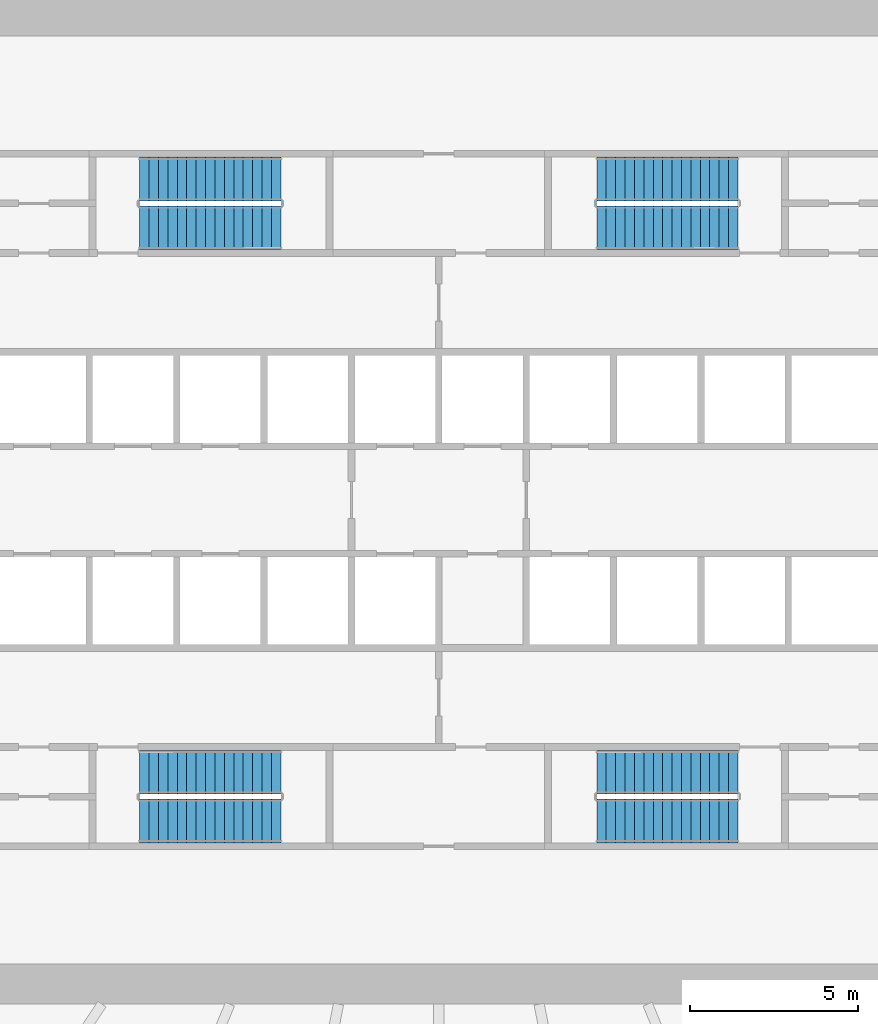
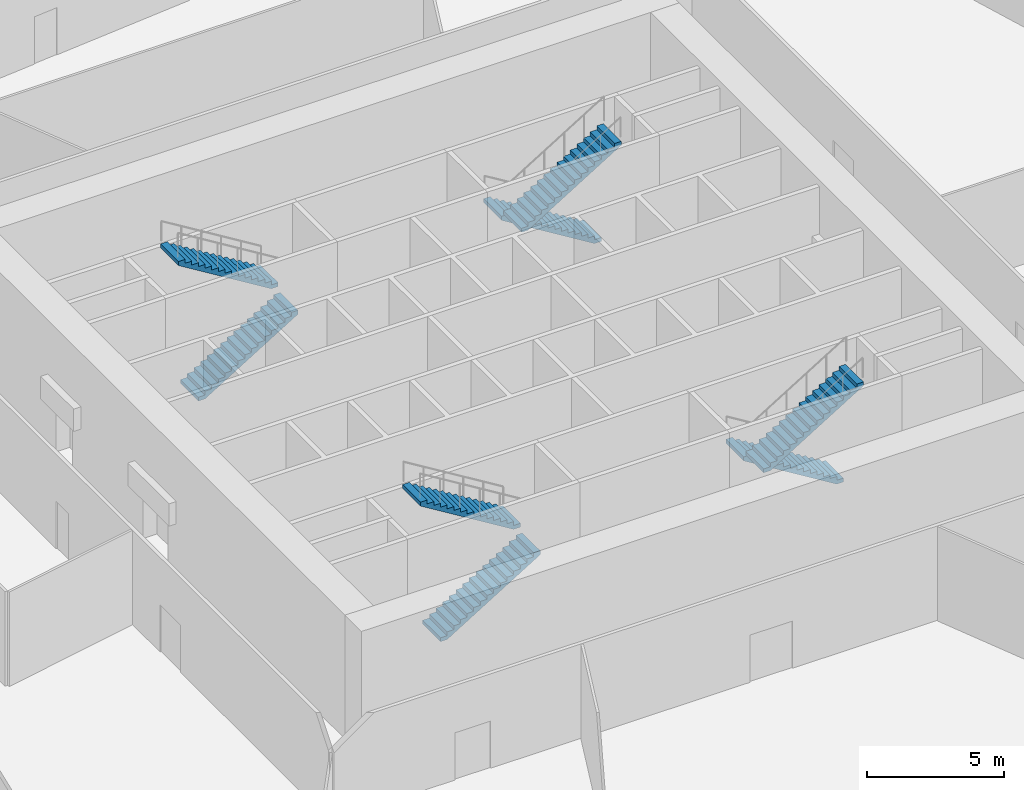
# One storey, part 29 of 37: 8 stair flights, 4 elements without a shape of their own.
"""IFC4 building model written with IfcOpenShell, lengths in metres."""

import ifcopenshell
import ifcopenshell.guid

model = None  # the IFC model being written
_history = None  # IfcOwnerHistory: only IFC2X3 demands one
_inside = {}  # id of a spatial element -> (the spatial element, [elements in it])
_under = {}  # id of a project, library or spatial element -> (it, [spatial elements below it])
_declared = {}  # id of a project -> (the project, [libraries it declares])
_typed = {}  # id of a type object -> (the type object, [elements of that type])
_made_of = {}  # id of a material, layer set ... -> (it, [elements and type objects made of it])


def new_model(schema):
    """Start an empty IFC model of exactly this schema.

    Asked for "IFC4X3", IfcOpenShell would pick the latest addendum, in which some entities
    have other attributes; the version numbers below select the first issue.
    IFC2X3 requires an IfcOwnerHistory on every rooted entity: one is made here for all.
    """
    global model, _history
    if schema == "IFC4X3":
        model = ifcopenshell.file(schema_version=(4, 3, 0, 0))
    else:
        model = ifcopenshell.file(schema=schema)
    _inside.clear()
    _under.clear()
    _declared.clear()
    _typed.clear()
    _made_of.clear()
    _history = None
    if model.schema == "IFC2X3":
        org = make("IfcOrganization", Name="unknown")
        user = make(
            "IfcPersonAndOrganization",
            ThePerson=make("IfcPerson", FamilyName="unknown"),
            TheOrganization=org,
        )
        app = make(
            "IfcApplication",
            ApplicationDeveloper=org,
            Version="unknown",
            ApplicationFullName="unknown",
            ApplicationIdentifier="unknown",
        )
        _history = make(
            "IfcOwnerHistory",
            OwningUser=user,
            OwningApplication=app,
            ChangeAction="ADDED",
            CreationDate=0,
        )
    return model


def make(cls, **values):
    """One entity of the class cls with the attributes given. An attribute that is None is left unset."""
    return model.create_entity(
        cls, **{name: value for name, value in values.items() if value is not None}
    )


def rooted(cls, **values):
    """An entity with a GlobalId (a new one), such as an element, a storey or a relation."""
    return make(cls, GlobalId=ifcopenshell.guid.new(), OwnerHistory=_history, **values)


def si_unit(unit_type, name, prefix=None):
    """IfcSIUnit, for example si_unit("LENGTHUNIT", "METRE", prefix="MILLI")."""
    return make("IfcSIUnit", UnitType=unit_type, Prefix=prefix, Name=name)


def assignment(units):
    """IfcUnitAssignment: the units of a project."""
    return None if units is None else make("IfcUnitAssignment", Units=units)


def point(xyz):
    """IfcCartesianPoint."""
    return None if xyz is None else make("IfcCartesianPoint", Coordinates=xyz)


def direction(xyz):
    """IfcDirection."""
    return None if xyz is None else make("IfcDirection", DirectionRatios=xyz)


def frame(location, z_axis=None, x_axis=None):
    """IfcAxis2Placement3D, a coordinate frame: its origin and axes. An axis left out is left unset."""
    return make(
        "IfcAxis2Placement3D",
        Location=point(location),
        Axis=direction(z_axis),
        RefDirection=direction(x_axis),
    )


def origin():
    """The frame at (0, 0, 0) with its axes left unset."""
    return frame((0.0, 0.0, 0.0))


def place(relative_to, where):
    """IfcLocalPlacement: puts the frame where relative to a parent placement (None: the world)."""
    return make(
        "IfcLocalPlacement", PlacementRelTo=relative_to, RelativePlacement=where
    )


def context(
    kind, dimensions, precision=None, world=None, true_north=None, identifier=None
):
    """IfcGeometricRepresentationContext, for example the 3D "Model" context."""
    return make(
        "IfcGeometricRepresentationContext",
        ContextIdentifier=identifier,
        ContextType=kind,
        CoordinateSpaceDimension=dimensions,
        Precision=precision,
        WorldCoordinateSystem=world,
        TrueNorth=true_north,
    )


def subcontext(parent, identifier, kind, view, scale=None):
    """IfcGeometricRepresentationSubContext, for example "Body" below "Model"."""
    return make(
        "IfcGeometricRepresentationSubContext",
        ContextIdentifier=identifier,
        ContextType=kind,
        ParentContext=parent,
        TargetScale=scale,
        TargetView=view,
    )


def project(units=None, contexts=None):
    """IfcProject with its units and contexts."""
    return rooted(
        "IfcProject",
        Name="project",
        RepresentationContexts=contexts,
        UnitsInContext=assignment(units),
    )


def spatial(cls, under=None, at=None, **own):
    """A site, building, storey or space (cls), placed at a placement, below another one or the project."""
    s = rooted(cls, ObjectPlacement=at, **own)
    if under is not None:
        _under.setdefault(under.id(), (under, []))[1].append(s)
    return s


def polyline(points):
    """IfcPolyline through the points."""
    return make("IfcPolyline", Points=[point(p) for p in points])


def outline(outer, holes=None, kind="AREA"):
    """IfcArbitraryClosedProfileDef: a profile drawn as a closed curve; with holes, ...WithVoids."""
    if holes is None:
        return make("IfcArbitraryClosedProfileDef", ProfileType=kind, OuterCurve=outer)
    return make(
        "IfcArbitraryProfileDefWithVoids",
        ProfileType=kind,
        OuterCurve=outer,
        InnerCurves=holes,
    )


def extrude(swept, where, along, depth):
    """IfcExtrudedAreaSolid: the profile swept, set in the frame where, extruded along a direction by depth."""
    return make(
        "IfcExtrudedAreaSolid",
        SweptArea=swept,
        Position=where,
        ExtrudedDirection=direction(along),
        Depth=depth,
    )


def shape(context_of_items, identifier, shape_type, items):
    """IfcShapeRepresentation: the items that make up one representation, for example the "Body"."""
    return make(
        "IfcShapeRepresentation",
        ContextOfItems=context_of_items,
        RepresentationIdentifier=identifier,
        RepresentationType=shape_type,
        Items=items,
    )


def material(Name=None, Category=None):
    """IfcMaterial."""
    return make("IfcMaterial", Name=Name, Category=Category)


def made_of(thing, what):
    """Note that an element or type object is made of a material, layer set ...; save() writes the relation."""
    if what is not None:
        _made_of.setdefault(what.id(), (what, []))[1].append(thing)
    return thing


def type_object(cls, material=None, **own):
    """A type object (cls), such as IfcWallType, which elements share."""
    return made_of(rooted(cls, **own), material)


def element(
    cls,
    number,
    at=None,
    inside=None,
    cuts=None,
    type_object=None,
    material=None,
    context=None,
    identifier="Body",
    shape_type=None,
    held_by="IfcProductDefinitionShape",
    body=None,
    shapes=None,
    **own,
):
    """One element of the class cls, such as IfcWall. Its Tag is "e" and its number.

    at: its placement. inside: the storey or other place that contains it. cuts: it is an
    opening in that element (IfcRelVoidsElement). A single representation is given by context,
    identifier, shape_type and body (its items); several are given by shapes. held_by: the class
    of the entity that holds the representations. save() writes the other relations.
    """
    e = rooted(cls, Tag="e%d" % number, ObjectPlacement=at, **own)
    if body is not None:
        shapes = [shape(context, identifier, shape_type, body)]
    if shapes is not None:
        e.Representation = make(held_by, Representations=shapes)
    if inside is not None:
        _inside.setdefault(inside.id(), (inside, []))[1].append(e)
    if cuts is not None:
        rooted(
            "IfcRelVoidsElement", RelatingBuildingElement=cuts, RelatedOpeningElement=e
        )
    if type_object is not None:
        _typed.setdefault(type_object.id(), (type_object, []))[1].append(e)
    return made_of(e, material)


def aggregate(whole, parts):
    """IfcRelAggregates: a whole, such as a stair, and the parts it consists of."""
    return rooted("IfcRelAggregates", RelatingObject=whole, RelatedObjects=parts)


def save(model, path):
    """Write the relations noted so far, then the file.

    IfcRelAggregates (storeys below a building ...), IfcRelContainedInSpatialStructure (elements
    in a storey), IfcRelDefinesByType, IfcRelAssociatesMaterial and IfcRelDeclares: one each for
    every whole, place, type object, material and project.
    """
    for whole, parts in _under.values():
        aggregate(whole, parts)
    for where, things in _inside.values():
        rooted(
            "IfcRelContainedInSpatialStructure",
            RelatedElements=things,
            RelatingStructure=where,
        )
    for kind, things in _typed.values():
        rooted("IfcRelDefinesByType", RelatedObjects=things, RelatingType=kind)
    for what, things in _made_of.values():
        rooted("IfcRelAssociatesMaterial", RelatedObjects=things, RelatingMaterial=what)
    for by, libraries in _declared.values():
        rooted("IfcRelDeclares", RelatingContext=by, RelatedDefinitions=libraries)
    model.write(path)


model = new_model("IFC4")

# Units and contexts
model_context = context("Model", 3, precision=1e-05, world=origin(), true_north=direction((0.0, 1.0)))
body_context = subcontext(model_context, "Body", "Model", "MODEL_VIEW")
ifc_project = project(units=[si_unit("LENGTHUNIT", "METRE"), si_unit("AREAUNIT", "SQUARE_METRE"), si_unit("VOLUMEUNIT", "CUBIC_METRE"), si_unit("PLANEANGLEUNIT", "RADIAN"), si_unit("MASSUNIT", "GRAM", prefix="KILO")], contexts=[model_context])

# Site, building, storey
site_placement = place(None, origin())
site = spatial("IfcSite", under=ifc_project, at=site_placement, CompositionType="ELEMENT")
building_placement = place(site_placement, origin())
building = spatial("IfcBuilding", under=site, at=building_placement, Name="Corvane Civic Tower", CompositionType="ELEMENT")
storey_placement = place(building_placement, frame((0.0, 0.0, 11.5)))
storey = spatial("IfcBuildingStorey", under=building, at=storey_placement, Name="L02", CompositionType="ELEMENT", Elevation=11.5)

# Stair, stair flights
ifc_material_1 = material(Name="Concrete C40/50", Category="concrete")
stair_type = type_object("IfcStairType", Name="ST-STAIR-HALFTURN", PredefinedType="HALF_TURN_STAIR", material=ifc_material_1)
stair_1_placement = place(storey_placement, origin())
stair_1 = element("IfcStair", 1, at=stair_1_placement, inside=storey, type_object=stair_type, Name="L02 Exit stair ST1", PredefinedType="HALF_TURN_STAIR")
ifc_material_2 = material(Name="Concrete C40/50", Category="concrete")
stair_flight_type = type_object("IfcStairFlightType", Name="ST-FLIGHT-RC", PredefinedType="STRAIGHT", material=ifc_material_2)
stair_flight_1_placement = place(storey_placement, frame((8.89990234375, 9.550048828125, 0.0), z_axis=(0.0, 0.0, 1.0), x_axis=(-1.0, 0.0, 0.0)))
stair_flight_1 = element("IfcStairFlight", 2, at=stair_flight_1_placement, type_object=stair_flight_type, Name="ST1 flight 1", NumberOfRisers=16, NumberOfTreads=15, PredefinedType="STRAIGHT", RiserHeight=0.171875, TreadLength=0.28, context=body_context, shape_type="SweptSolid", body=[
    extrude(outline(polyline([(0.0, 0.0), (0.0, 0.171875), (0.280029296875, 0.171875), (0.280029296875, 0.34375), (0.56005859375, 0.34375), (0.56005859375, 0.515625), (0.840087890625, 0.515625), (0.840087890625, 0.6875), (1.1201171875, 0.6875), (1.1201171875, 0.859375), (1.39990234375, 0.859375), (1.39990234375, 1.03125), (1.679931640625, 1.03125), (1.679931640625, 1.203125), (1.9599609375, 1.203125), (1.9599609375, 1.375), (2.239990234375, 1.375), (2.239990234375, 1.546875), (2.52001953125, 1.546875), (2.52001953125, 1.71875), (2.800048828125, 1.71875), (2.800048828125, 1.890625), (3.080078125, 1.890625), (3.080078125, 2.0625), (3.360107421875, 2.0625), (3.360107421875, 2.234375), (3.639892578125, 2.234375), (3.639892578125, 2.40625), (3.919921875, 2.40625), (3.919921875, 2.578125), (4.199951171875, 2.578125), (4.199951171875, 2.75), (4.199951171875, 2.40234375), (0.28662109375, 0.0), (0.0, 0.0)])), frame((0.0, 0.64990234375, 0.0), z_axis=(0.0, -1.0, 0.0), x_axis=(1.0, 0.0, 0.0)), (0.0, 0.0, 1.0), 1.300048828125),
])
stair_flight_2_placement = place(storey_placement, frame((4.699951171875, 8.10009765625, 2.75), z_axis=(0.0, 0.0, 1.0), x_axis=(1.0, 0.0, 0.0)))
stair_flight_2 = element("IfcStairFlight", 3, at=stair_flight_2_placement, type_object=stair_flight_type, Name="ST1 flight 2", NumberOfRisers=16, NumberOfTreads=15, PredefinedType="STRAIGHT", RiserHeight=0.171875, TreadLength=0.28, context=body_context, shape_type="SweptSolid", body=[
    extrude(outline(polyline([(0.0, 0.0), (0.0, 0.171875), (0.280029296875, 0.171875), (0.280029296875, 0.34375), (0.56005859375, 0.34375), (0.56005859375, 0.515625), (0.840087890625, 0.515625), (0.840087890625, 0.6875), (1.1201171875, 0.6875), (1.1201171875, 0.859375), (1.39990234375, 0.859375), (1.39990234375, 1.03125), (1.679931640625, 1.03125), (1.679931640625, 1.203125), (1.9599609375, 1.203125), (1.9599609375, 1.375), (2.239990234375, 1.375), (2.239990234375, 1.546875), (2.52001953125, 1.546875), (2.52001953125, 1.71875), (2.800048828125, 1.71875), (2.800048828125, 1.890625), (3.080078125, 1.890625), (3.080078125, 2.0625), (3.360107421875, 2.0625), (3.360107421875, 2.234375), (3.639892578125, 2.234375), (3.639892578125, 2.40625), (3.919921875, 2.40625), (3.919921875, 2.578125), (4.199951171875, 2.578125), (4.199951171875, 2.75), (4.199951171875, 2.40234375), (0.28662109375, 0.0), (0.0, 0.0)])), frame((0.0, 0.64990234375, 0.0), z_axis=(0.0, -1.0, 0.0), x_axis=(1.0, 0.0, 0.0)), (0.0, 0.0, 1.0), 1.300048828125),
])
aggregate(stair_1, [stair_flight_1, stair_flight_2])

stair_2_placement = place(storey_placement, origin())
stair_2 = element("IfcStair", 4, at=stair_2_placement, inside=storey, type_object=stair_type, Name="L02 Exit stair ST2", PredefinedType="HALF_TURN_STAIR")
stair_flight_3_placement = place(storey_placement, frame((8.89990234375, -8.10009765625, 0.0), z_axis=(0.0, 0.0, 1.0), x_axis=(-1.0, 0.0, 0.0)))
stair_flight_3 = element("IfcStairFlight", 5, at=stair_flight_3_placement, type_object=stair_flight_type, Name="ST2 flight 1", NumberOfRisers=16, NumberOfTreads=15, PredefinedType="STRAIGHT", RiserHeight=0.171875, TreadLength=0.28, context=body_context, shape_type="SweptSolid", body=[
    extrude(outline(polyline([(0.0, 0.0), (0.0, 0.171875), (0.280029296875, 0.171875), (0.280029296875, 0.34375), (0.56005859375, 0.34375), (0.56005859375, 0.515625), (0.840087890625, 0.515625), (0.840087890625, 0.6875), (1.1201171875, 0.6875), (1.1201171875, 0.859375), (1.39990234375, 0.859375), (1.39990234375, 1.03125), (1.679931640625, 1.03125), (1.679931640625, 1.203125), (1.9599609375, 1.203125), (1.9599609375, 1.375), (2.239990234375, 1.375), (2.239990234375, 1.546875), (2.52001953125, 1.546875), (2.52001953125, 1.71875), (2.800048828125, 1.71875), (2.800048828125, 1.890625), (3.080078125, 1.890625), (3.080078125, 2.0625), (3.360107421875, 2.0625), (3.360107421875, 2.234375), (3.639892578125, 2.234375), (3.639892578125, 2.40625), (3.919921875, 2.40625), (3.919921875, 2.578125), (4.199951171875, 2.578125), (4.199951171875, 2.75), (4.199951171875, 2.40234375), (0.28662109375, 0.0), (0.0, 0.0)])), frame((0.0, 0.64990234375, 0.0), z_axis=(0.0, -1.0, 0.0), x_axis=(1.0, 0.0, 0.0)), (0.0, 0.0, 1.0), 1.300048828125),
])
stair_flight_4_placement = place(storey_placement, frame((4.699951171875, -9.550048828125, 2.75), z_axis=(0.0, 0.0, 1.0), x_axis=(1.0, 0.0, 0.0)))
stair_flight_4 = element("IfcStairFlight", 6, at=stair_flight_4_placement, type_object=stair_flight_type, Name="ST2 flight 2", NumberOfRisers=16, NumberOfTreads=15, PredefinedType="STRAIGHT", RiserHeight=0.171875, TreadLength=0.28, context=body_context, shape_type="SweptSolid", body=[
    extrude(outline(polyline([(0.0, 0.0), (0.0, 0.171875), (0.280029296875, 0.171875), (0.280029296875, 0.34375), (0.56005859375, 0.34375), (0.56005859375, 0.515625), (0.840087890625, 0.515625), (0.840087890625, 0.6875), (1.1201171875, 0.6875), (1.1201171875, 0.859375), (1.39990234375, 0.859375), (1.39990234375, 1.03125), (1.679931640625, 1.03125), (1.679931640625, 1.203125), (1.9599609375, 1.203125), (1.9599609375, 1.375), (2.239990234375, 1.375), (2.239990234375, 1.546875), (2.52001953125, 1.546875), (2.52001953125, 1.71875), (2.800048828125, 1.71875), (2.800048828125, 1.890625), (3.080078125, 1.890625), (3.080078125, 2.0625), (3.360107421875, 2.0625), (3.360107421875, 2.234375), (3.639892578125, 2.234375), (3.639892578125, 2.40625), (3.919921875, 2.40625), (3.919921875, 2.578125), (4.199951171875, 2.578125), (4.199951171875, 2.75), (4.199951171875, 2.40234375), (0.28662109375, 0.0), (0.0, 0.0)])), frame((0.0, 0.64990234375, 0.0), z_axis=(0.0, -1.0, 0.0), x_axis=(1.0, 0.0, 0.0)), (0.0, 0.0, 1.0), 1.300048828125),
])
aggregate(stair_2, [stair_flight_3, stair_flight_4])

stair_3_placement = place(storey_placement, origin())
stair_3 = element("IfcStair", 7, at=stair_3_placement, inside=storey, type_object=stair_type, Name="L02 Exit stair ST3", PredefinedType="HALF_TURN_STAIR")
stair_flight_5_placement = place(storey_placement, frame((-8.89990234375, -9.550048828125, 0.0), z_axis=(0.0, 0.0, 1.0), x_axis=(1.0, 0.0, 0.0)))
stair_flight_5 = element("IfcStairFlight", 8, at=stair_flight_5_placement, type_object=stair_flight_type, Name="ST3 flight 1", NumberOfRisers=16, NumberOfTreads=15, PredefinedType="STRAIGHT", RiserHeight=0.171875, TreadLength=0.28, context=body_context, shape_type="SweptSolid", body=[
    extrude(outline(polyline([(0.0, 0.0), (0.0, 0.171875), (0.280029296875, 0.171875), (0.280029296875, 0.34375), (0.56005859375, 0.34375), (0.56005859375, 0.515625), (0.840087890625, 0.515625), (0.840087890625, 0.6875), (1.1201171875, 0.6875), (1.1201171875, 0.859375), (1.39990234375, 0.859375), (1.39990234375, 1.03125), (1.679931640625, 1.03125), (1.679931640625, 1.203125), (1.9599609375, 1.203125), (1.9599609375, 1.375), (2.239990234375, 1.375), (2.239990234375, 1.546875), (2.52001953125, 1.546875), (2.52001953125, 1.71875), (2.800048828125, 1.71875), (2.800048828125, 1.890625), (3.080078125, 1.890625), (3.080078125, 2.0625), (3.360107421875, 2.0625), (3.360107421875, 2.234375), (3.639892578125, 2.234375), (3.639892578125, 2.40625), (3.919921875, 2.40625), (3.919921875, 2.578125), (4.199951171875, 2.578125), (4.199951171875, 2.75), (4.199951171875, 2.40234375), (0.28662109375, 0.0), (0.0, 0.0)])), frame((0.0, 0.64990234375, 0.0), z_axis=(0.0, -1.0, 0.0), x_axis=(1.0, 0.0, 0.0)), (0.0, 0.0, 1.0), 1.300048828125),
])
stair_flight_6_placement = place(storey_placement, frame((-4.699951171875, -8.10009765625, 2.75), z_axis=(0.0, 0.0, 1.0), x_axis=(-1.0, 0.0, 0.0)))
stair_flight_6 = element("IfcStairFlight", 9, at=stair_flight_6_placement, type_object=stair_flight_type, Name="ST3 flight 2", NumberOfRisers=16, NumberOfTreads=15, PredefinedType="STRAIGHT", RiserHeight=0.171875, TreadLength=0.28, context=body_context, shape_type="SweptSolid", body=[
    extrude(outline(polyline([(0.0, 0.0), (0.0, 0.171875), (0.280029296875, 0.171875), (0.280029296875, 0.34375), (0.56005859375, 0.34375), (0.56005859375, 0.515625), (0.840087890625, 0.515625), (0.840087890625, 0.6875), (1.1201171875, 0.6875), (1.1201171875, 0.859375), (1.39990234375, 0.859375), (1.39990234375, 1.03125), (1.679931640625, 1.03125), (1.679931640625, 1.203125), (1.9599609375, 1.203125), (1.9599609375, 1.375), (2.239990234375, 1.375), (2.239990234375, 1.546875), (2.52001953125, 1.546875), (2.52001953125, 1.71875), (2.800048828125, 1.71875), (2.800048828125, 1.890625), (3.080078125, 1.890625), (3.080078125, 2.0625), (3.360107421875, 2.0625), (3.360107421875, 2.234375), (3.639892578125, 2.234375), (3.639892578125, 2.40625), (3.919921875, 2.40625), (3.919921875, 2.578125), (4.199951171875, 2.578125), (4.199951171875, 2.75), (4.199951171875, 2.40234375), (0.28662109375, 0.0), (0.0, 0.0)])), frame((0.0, 0.64990234375, 0.0), z_axis=(0.0, -1.0, 0.0), x_axis=(1.0, 0.0, 0.0)), (0.0, 0.0, 1.0), 1.300048828125),
])
aggregate(stair_3, [stair_flight_5, stair_flight_6])

stair_4_placement = place(storey_placement, origin())
stair_4 = element("IfcStair", 10, at=stair_4_placement, inside=storey, type_object=stair_type, Name="L02 Exit stair ST4", PredefinedType="HALF_TURN_STAIR")
stair_flight_7_placement = place(storey_placement, frame((-8.89990234375, 8.10009765625, 0.0), z_axis=(0.0, 0.0, 1.0), x_axis=(1.0, 0.0, 0.0)))
stair_flight_7 = element("IfcStairFlight", 11, at=stair_flight_7_placement, type_object=stair_flight_type, Name="ST4 flight 1", NumberOfRisers=16, NumberOfTreads=15, PredefinedType="STRAIGHT", RiserHeight=0.171875, TreadLength=0.28, context=body_context, shape_type="SweptSolid", body=[
    extrude(outline(polyline([(0.0, 0.0), (0.0, 0.171875), (0.280029296875, 0.171875), (0.280029296875, 0.34375), (0.56005859375, 0.34375), (0.56005859375, 0.515625), (0.840087890625, 0.515625), (0.840087890625, 0.6875), (1.1201171875, 0.6875), (1.1201171875, 0.859375), (1.39990234375, 0.859375), (1.39990234375, 1.03125), (1.679931640625, 1.03125), (1.679931640625, 1.203125), (1.9599609375, 1.203125), (1.9599609375, 1.375), (2.239990234375, 1.375), (2.239990234375, 1.546875), (2.52001953125, 1.546875), (2.52001953125, 1.71875), (2.800048828125, 1.71875), (2.800048828125, 1.890625), (3.080078125, 1.890625), (3.080078125, 2.0625), (3.360107421875, 2.0625), (3.360107421875, 2.234375), (3.639892578125, 2.234375), (3.639892578125, 2.40625), (3.919921875, 2.40625), (3.919921875, 2.578125), (4.199951171875, 2.578125), (4.199951171875, 2.75), (4.199951171875, 2.40234375), (0.28662109375, 0.0), (0.0, 0.0)])), frame((0.0, 0.64990234375, 0.0), z_axis=(0.0, -1.0, 0.0), x_axis=(1.0, 0.0, 0.0)), (0.0, 0.0, 1.0), 1.300048828125),
])
stair_flight_8_placement = place(storey_placement, frame((-4.699951171875, 9.550048828125, 2.75), z_axis=(0.0, 0.0, 1.0), x_axis=(-1.0, 0.0, 0.0)))
stair_flight_8 = element("IfcStairFlight", 12, at=stair_flight_8_placement, type_object=stair_flight_type, Name="ST4 flight 2", NumberOfRisers=16, NumberOfTreads=15, PredefinedType="STRAIGHT", RiserHeight=0.171875, TreadLength=0.28, context=body_context, shape_type="SweptSolid", body=[
    extrude(outline(polyline([(0.0, 0.0), (0.0, 0.171875), (0.280029296875, 0.171875), (0.280029296875, 0.34375), (0.56005859375, 0.34375), (0.56005859375, 0.515625), (0.840087890625, 0.515625), (0.840087890625, 0.6875), (1.1201171875, 0.6875), (1.1201171875, 0.859375), (1.39990234375, 0.859375), (1.39990234375, 1.03125), (1.679931640625, 1.03125), (1.679931640625, 1.203125), (1.9599609375, 1.203125), (1.9599609375, 1.375), (2.239990234375, 1.375), (2.239990234375, 1.546875), (2.52001953125, 1.546875), (2.52001953125, 1.71875), (2.800048828125, 1.71875), (2.800048828125, 1.890625), (3.080078125, 1.890625), (3.080078125, 2.0625), (3.360107421875, 2.0625), (3.360107421875, 2.234375), (3.639892578125, 2.234375), (3.639892578125, 2.40625), (3.919921875, 2.40625), (3.919921875, 2.578125), (4.199951171875, 2.578125), (4.199951171875, 2.75), (4.199951171875, 2.40234375), (0.28662109375, 0.0), (0.0, 0.0)])), frame((0.0, 0.64990234375, 0.0), z_axis=(0.0, -1.0, 0.0), x_axis=(1.0, 0.0, 0.0)), (0.0, 0.0, 1.0), 1.300048828125),
])
aggregate(stair_4, [stair_flight_7, stair_flight_8])

save(model, "model.ifc")
